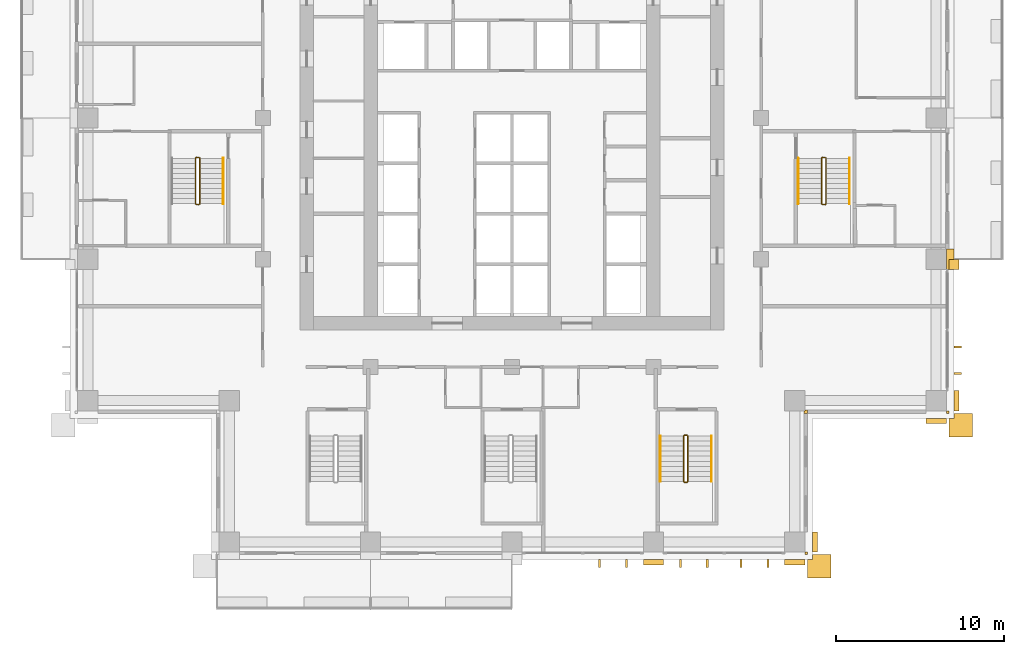
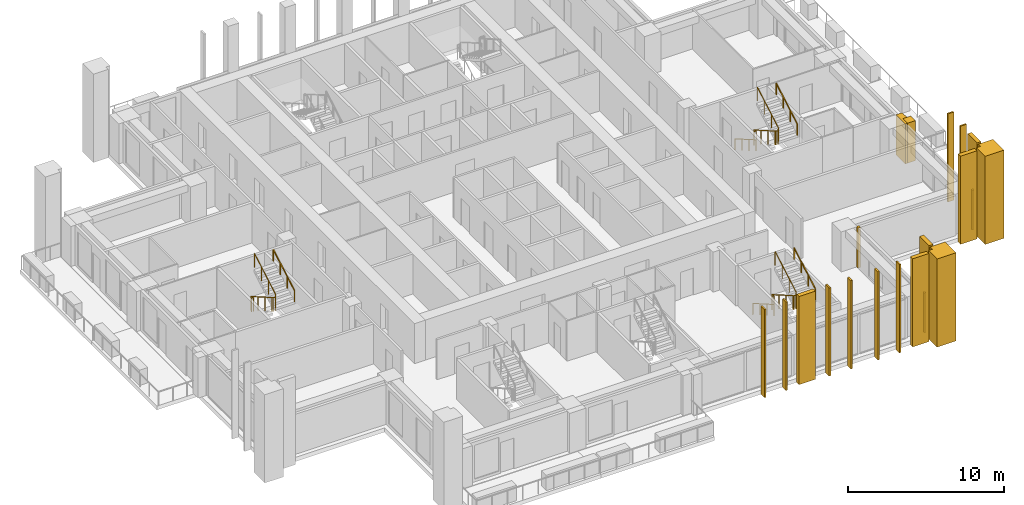
# One storey, part 14 of 17: 20 coverings, 8 railings.
"""IFC4 building model written with IfcOpenShell, lengths in metres."""

from ifc_helpers import new_model, si_unit, direction, frame, origin, origin_2d, place, context, subcontext, project, spatial, polyline, rectangle, outline, extrude, material, layer, layer_set, type_object, element, save


model = new_model("IFC4")

# Units and contexts
model_context = context("Model", 3, precision=1e-05, world=origin(), true_north=direction((0.0, 1.0)))
body_context = subcontext(model_context, "Body", "Model", "MODEL_VIEW")
ifc_project = project(units=[si_unit("LENGTHUNIT", "METRE"), si_unit("AREAUNIT", "SQUARE_METRE"), si_unit("VOLUMEUNIT", "CUBIC_METRE"), si_unit("PLANEANGLEUNIT", "RADIAN"), si_unit("MASSUNIT", "GRAM", prefix="KILO")], contexts=[model_context])

# Site, building, storey
site_placement = place(None, origin())
site = spatial("IfcSite", under=ifc_project, at=site_placement, CompositionType="ELEMENT")
building_placement = place(site_placement, origin())
building = spatial("IfcBuilding", under=site, at=building_placement, Name="Vermilion Ogive Tower", CompositionType="ELEMENT")
storey_placement = place(building_placement, frame((0.0, 0.0, 97.64990234375)))
storey = spatial("IfcBuildingStorey", under=building, at=storey_placement, Name="L24", CompositionType="ELEMENT", Elevation=97.64990234375)

# Coverings
ifc_material_1 = material(Name="Glazed ceramic screen")
ifc_layer = layer(ifc_material_1, 0.14990234375)
ifc_layer_set = layer_set([ifc_layer], Name="Ceramic solar screen fin")
covering_type_1 = type_object("IfcCoveringType", Name="Ceramic solar screen fin", PredefinedType="CLADDING", material=ifc_layer_set)
covering_1_placement = place(storey_placement, frame((0.0, 0.0, -0.31982421875)))
element("IfcCovering", 1, at=covering_1_placement, inside=storey, type_object=covering_type_1, Name="Solar screen blade S011", PredefinedType="CLADDING", context=body_context, shape_type="SweptSolid", body=[
    extrude(outline(polyline([(5.139892578125, -22.5), (5.260009765625, -22.5), (5.260009765625, -22.050048828125), (5.139892578125, -22.050048828125), (5.139892578125, -22.5)])), origin(), (0.0, 0.0, 1.0), 6.89990234375),
])
covering_2_placement = place(storey_placement, frame((0.0, 0.0, -0.31982421875)))
element("IfcCovering", 2, at=covering_2_placement, inside=storey, type_object=covering_type_1, Name="Solar screen blade S012", PredefinedType="CLADDING", context=body_context, shape_type="SweptSolid", body=[
    extrude(outline(polyline([(6.739990234375, -22.5), (6.860107421875, -22.5), (6.860107421875, -22.050048828125), (6.739990234375, -22.050048828125), (6.739990234375, -22.5)])), origin(), (0.0, 0.0, 1.0), 6.89990234375),
])
covering_3_placement = place(storey_placement, frame((0.0, 0.0, -0.31982421875)))
element("IfcCovering", 3, at=covering_3_placement, inside=storey, type_object=covering_type_1, Name="Solar screen blade S021", PredefinedType="CLADDING", context=body_context, shape_type="SweptSolid", body=[
    extrude(outline(polyline([(9.93994140625, -22.5), (10.06005859375, -22.5), (10.06005859375, -22.050048828125), (9.93994140625, -22.050048828125), (9.93994140625, -22.5)])), origin(), (0.0, 0.0, 1.0), 6.89990234375),
])
covering_4_placement = place(storey_placement, frame((0.0, 0.0, -0.31982421875)))
element("IfcCovering", 4, at=covering_4_placement, inside=storey, type_object=covering_type_1, Name="Solar screen blade S022", PredefinedType="CLADDING", context=body_context, shape_type="SweptSolid", body=[
    extrude(outline(polyline([(11.5400390625, -22.5), (11.659912109375, -22.5), (11.659912109375, -22.050048828125), (11.5400390625, -22.050048828125), (11.5400390625, -22.5)])), origin(), (0.0, 0.0, 1.0), 6.89990234375),
])
covering_5_placement = place(storey_placement, frame((0.0, 0.0, -0.31982421875)))
element("IfcCovering", 5, at=covering_5_placement, inside=storey, type_object=covering_type_1, Name="Solar screen blade S031", PredefinedType="CLADDING", context=body_context, shape_type="SweptSolid", body=[
    extrude(outline(polyline([(13.5400390625, -22.5), (13.659912109375, -22.5), (13.659912109375, -22.050048828125), (13.5400390625, -22.050048828125), (13.5400390625, -22.5)])), origin(), (0.0, 0.0, 1.0), 6.89990234375),
])
covering_6_placement = place(storey_placement, frame((0.0, 0.0, -0.31982421875)))
element("IfcCovering", 6, at=covering_6_placement, inside=storey, type_object=covering_type_1, Name="Solar screen blade S032", PredefinedType="CLADDING", context=body_context, shape_type="SweptSolid", body=[
    extrude(outline(polyline([(15.139892578125, -22.5), (15.260009765625, -22.5), (15.260009765625, -22.050048828125), (15.139892578125, -22.050048828125), (15.139892578125, -22.5)])), origin(), (0.0, 0.0, 1.0), 6.89990234375),
])
covering_7_placement = place(storey_placement, frame((0.0, 0.0, -0.31982421875)))
element("IfcCovering", 7, at=covering_7_placement, inside=storey, type_object=covering_type_1, Name="Solar screen blade E971", PredefinedType="CLADDING", context=body_context, shape_type="SweptSolid", body=[
    extrude(outline(polyline([(26.699951171875, -11.06005859375), (26.699951171875, -10.93994140625), (26.25, -10.93994140625), (26.25, -11.06005859375), (26.699951171875, -11.06005859375)])), origin(), (0.0, 0.0, 1.0), 6.89990234375),
])
covering_8_placement = place(storey_placement, frame((0.0, 0.0, -0.31982421875)))
element("IfcCovering", 8, at=covering_8_placement, inside=storey, type_object=covering_type_1, Name="Solar screen blade E972", PredefinedType="CLADDING", context=body_context, shape_type="SweptSolid", body=[
    extrude(outline(polyline([(26.699951171875, -9.4599609375), (26.699951171875, -9.340087890625), (26.25, -9.340087890625), (26.25, -9.4599609375), (26.699951171875, -9.4599609375)])), origin(), (0.0, 0.0, 1.0), 6.89990234375),
])

# Railings
ifc_material_2 = material(Name="Steel S355 painted", Category="steel")
railing_type_1 = type_object("IfcRailingType", Name="Stair guard 1100", PredefinedType="GUARDRAIL", material=ifc_material_2)
railing_1_placement = place(storey_placement, frame((10.39990234375, -14.64990234375, 0.0)))
element("IfcRailing", 9, at=railing_1_placement, inside=storey, type_object=railing_type_1, Name="L24 ST5 stair guard 4", PredefinedType="GUARDRAIL", context=body_context, shape_type="SweptSolid", body=[
    extrude(rectangle(XDim=0.048095703125, YDim=0.048095703125, at=origin_2d()), frame((0.0, 0.0, 1.076171875), z_axis=(-1.0, 0.0, 0.0), x_axis=(0.0, -1.0, 0.0)), (0.0, 0.0, 1.0), 0.14990234375),
    extrude(rectangle(XDim=0.048095703125, YDim=0.048095703125, at=origin_2d()), frame((-0.14990234375, 0.0, 1.076171875), z_axis=(-0.268277960024, -0.268277960024, 0.925231793839), x_axis=(0.707106781187, -0.707106781187, 0.0)), (0.0, 0.0, 1.0), 0.1865234375),
    extrude(rectangle(XDim=0.048095703125, YDim=0.048095703125, at=origin_2d()), frame((-0.199951171875, -0.050048828125, 1.24853515625), z_axis=(0.0, -0.866903762492, 0.498475542607), x_axis=(1.0, 0.0, 0.0)), (0.0, 0.0, 1.0), 3.114501953125),
    extrude(rectangle(XDim=0.048095703125, YDim=0.048095703125, at=origin_2d()), frame((-0.199951171875, -2.75, 2.80126953125), z_axis=(0.707106781187, -0.707106781187, 0.0), x_axis=(0.707106781187, 0.707106781187, 0.0)), (0.0, 0.0, 1.0), 0.07080078125),
    extrude(rectangle(XDim=0.048095703125, YDim=0.048095703125, at=origin_2d()), frame((-0.14990234375, -2.800048828125, 2.80126953125), z_axis=(1.0, 0.0, 0.0), x_axis=(0.0, 1.0, 0.0)), (0.0, 0.0, 1.0), 0.14990234375),
    extrude(rectangle(XDim=0.048095703125, YDim=0.048095703125, at=origin_2d()), frame((0.0, -2.800048828125, 2.80126953125), z_axis=(0.268277960024, 0.268277960024, 0.925231793839), x_axis=(-0.707106781187, 0.707106781187, 0.0)), (0.0, 0.0, 1.0), 0.1865234375),
    extrude(rectangle(XDim=0.048095703125, YDim=0.048095703125, at=origin_2d()), frame((0.050048828125, -2.75, 2.9736328125), z_axis=(0.0, 0.866903762492, 0.498475542607), x_axis=(-1.0, 0.0, 0.0)), (0.0, 0.0, 1.0), 3.114501953125),
    extrude(rectangle(XDim=0.0419921875, YDim=0.0419921875, at=origin_2d()), origin(), (0.0, 0.0, 1.0), 1.052001953125),
    extrude(rectangle(XDim=0.0419921875, YDim=0.0419921875, at=origin_2d()), frame((-0.14990234375, 0.0, 0.0)), (0.0, 0.0, 1.0), 1.052001953125),
    extrude(rectangle(XDim=0.0419921875, YDim=0.0419921875, at=origin_2d()), frame((-0.199951171875, -0.050048828125, 0.172607421875)), (0.0, 0.0, 1.0), 1.052001953125),
    extrude(rectangle(XDim=0.0419921875, YDim=0.0419921875, at=origin_2d()), frame((-0.199951171875, -0.949951171875, 0.690185546875)), (0.0, 0.0, 1.0), 1.052001953125),
    extrude(rectangle(XDim=0.0419921875, YDim=0.0419921875, at=origin_2d()), frame((-0.199951171875, -1.85009765625, 1.20751953125)), (0.0, 0.0, 1.0), 1.052001953125),
    extrude(rectangle(XDim=0.0419921875, YDim=0.0419921875, at=origin_2d()), frame((-0.199951171875, -2.75, 1.72509765625)), (0.0, 0.0, 1.0), 1.052001953125),
    extrude(rectangle(XDim=0.0419921875, YDim=0.0419921875, at=origin_2d()), frame((-0.14990234375, -2.800048828125, 1.72509765625)), (0.0, 0.0, 1.0), 1.052001953125),
    extrude(rectangle(XDim=0.0419921875, YDim=0.0419921875, at=origin_2d()), frame((0.0, -2.800048828125, 1.72509765625)), (0.0, 0.0, 1.0), 1.052001953125),
    extrude(rectangle(XDim=0.0419921875, YDim=0.0419921875, at=origin_2d()), frame((0.050048828125, -2.75, 1.897705078125)), (0.0, 0.0, 1.0), 1.052001953125),
    extrude(rectangle(XDim=0.0419921875, YDim=0.0419921875, at=origin_2d()), frame((0.050048828125, -1.85009765625, 2.415283203125)), (0.0, 0.0, 1.0), 1.052001953125),
    extrude(rectangle(XDim=0.0419921875, YDim=0.0419921875, at=origin_2d()), frame((0.050048828125, -0.949951171875, 2.9326171875)), (0.0, 0.0, 1.0), 1.052001953125),
    extrude(rectangle(XDim=0.0419921875, YDim=0.0419921875, at=origin_2d()), frame((0.050048828125, -0.050048828125, 3.4501953125)), (0.0, 0.0, 1.0), 1.052001953125),
])
railing_2_placement = place(storey_placement, frame((18.60009765625, 1.85009765625, 0.0)))
element("IfcRailing", 10, at=railing_2_placement, inside=storey, type_object=railing_type_1, Name="L24 ST8 stair guard 4", PredefinedType="GUARDRAIL", context=body_context, shape_type="SweptSolid", body=[
    extrude(rectangle(XDim=0.048095703125, YDim=0.048095703125, at=origin_2d()), frame((0.0, 0.0, 1.076171875), z_axis=(-1.0, 0.0, 0.0), x_axis=(0.0, -1.0, 0.0)), (0.0, 0.0, 1.0), 0.150146484375),
    extrude(rectangle(XDim=0.048095703125, YDim=0.048095703125, at=origin_2d()), frame((-0.150146484375, 0.0, 1.076171875), z_axis=(-0.268277960024, -0.268277960024, 0.925231793839), x_axis=(0.707106781187, -0.707106781187, 0.0)), (0.0, 0.0, 1.0), 0.1865234375),
    extrude(rectangle(XDim=0.048095703125, YDim=0.048095703125, at=origin_2d()), frame((-0.2001953125, -0.050048828125, 1.24853515625), z_axis=(0.0, -0.866903762492, 0.498475542607), x_axis=(1.0, 0.0, 0.0)), (0.0, 0.0, 1.0), 3.114501953125),
    extrude(rectangle(XDim=0.048095703125, YDim=0.048095703125, at=origin_2d()), frame((-0.2001953125, -2.75, 2.80126953125), z_axis=(0.707106781187, -0.707106781187, 0.0), x_axis=(0.707106781187, 0.707106781187, 0.0)), (0.0, 0.0, 1.0), 0.07080078125),
    extrude(rectangle(XDim=0.048095703125, YDim=0.048095703125, at=origin_2d()), frame((-0.150146484375, -2.800048828125, 2.80126953125), z_axis=(1.0, 0.0, 0.0), x_axis=(0.0, 1.0, 0.0)), (0.0, 0.0, 1.0), 0.150146484375),
    extrude(rectangle(XDim=0.048095703125, YDim=0.048095703125, at=origin_2d()), frame((0.0, -2.800048828125, 2.80126953125), z_axis=(0.267062837333, 0.268371968888, 0.925556009775), x_axis=(-0.708833529934, 0.705375805398, 0.0)), (0.0, 0.0, 1.0), 0.1865234375),
    extrude(rectangle(XDim=0.048095703125, YDim=0.048095703125, at=origin_2d()), frame((0.0498046875, -2.75, 2.9736328125), z_axis=(0.0, 0.866903762492, 0.498475542607), x_axis=(-1.0, 0.0, 0.0)), (0.0, 0.0, 1.0), 3.114501953125),
    extrude(rectangle(XDim=0.0419921875, YDim=0.0419921875, at=origin_2d()), origin(), (0.0, 0.0, 1.0), 1.052001953125),
    extrude(rectangle(XDim=0.0419921875, YDim=0.0419921875, at=origin_2d()), frame((-0.150146484375, 0.0, 0.0)), (0.0, 0.0, 1.0), 1.052001953125),
    extrude(rectangle(XDim=0.0419921875, YDim=0.0419921875, at=origin_2d()), frame((-0.2001953125, -0.050048828125, 0.172607421875)), (0.0, 0.0, 1.0), 1.052001953125),
    extrude(rectangle(XDim=0.0419921875, YDim=0.0419921875, at=origin_2d()), frame((-0.2001953125, -0.949951171875, 0.690185546875)), (0.0, 0.0, 1.0), 1.052001953125),
    extrude(rectangle(XDim=0.0419921875, YDim=0.0419921875, at=origin_2d()), frame((-0.2001953125, -1.85009765625, 1.20751953125)), (0.0, 0.0, 1.0), 1.052001953125),
    extrude(rectangle(XDim=0.0419921875, YDim=0.0419921875, at=origin_2d()), frame((-0.2001953125, -2.75, 1.72509765625)), (0.0, 0.0, 1.0), 1.052001953125),
    extrude(rectangle(XDim=0.0419921875, YDim=0.0419921875, at=origin_2d()), frame((-0.150146484375, -2.800048828125, 1.72509765625)), (0.0, 0.0, 1.0), 1.052001953125),
    extrude(rectangle(XDim=0.0419921875, YDim=0.0419921875, at=origin_2d()), frame((0.0, -2.800048828125, 1.72509765625)), (0.0, 0.0, 1.0), 1.052001953125),
    extrude(rectangle(XDim=0.0419921875, YDim=0.0419921875, at=origin_2d()), frame((0.0498046875, -2.75, 1.897705078125)), (0.0, 0.0, 1.0), 1.052001953125),
    extrude(rectangle(XDim=0.0419921875, YDim=0.0419921875, at=origin_2d()), frame((0.0498046875, -1.85009765625, 2.415283203125)), (0.0, 0.0, 1.0), 1.052001953125),
    extrude(rectangle(XDim=0.0419921875, YDim=0.0419921875, at=origin_2d()), frame((0.0498046875, -0.949951171875, 2.9326171875)), (0.0, 0.0, 1.0), 1.052001953125),
    extrude(rectangle(XDim=0.0419921875, YDim=0.0419921875, at=origin_2d()), frame((0.0498046875, -0.050048828125, 3.4501953125)), (0.0, 0.0, 1.0), 1.052001953125),
])
railing_3_placement = place(storey_placement, frame((-18.60009765625, 1.85009765625, 0.0)))
element("IfcRailing", 11, at=railing_3_placement, inside=storey, type_object=railing_type_1, Name="L24 ST9 stair guard 4", PredefinedType="GUARDRAIL", context=body_context, shape_type="SweptSolid", body=[
    extrude(rectangle(XDim=0.048095703125, YDim=0.048095703125, at=origin_2d()), frame((0.0, 0.0, 1.076171875), z_axis=(-1.0, 0.0, 0.0), x_axis=(0.0, -1.0, 0.0)), (0.0, 0.0, 1.0), 0.14990234375),
    extrude(rectangle(XDim=0.048095703125, YDim=0.048095703125, at=origin_2d()), frame((-0.14990234375, 0.0, 1.076171875), z_axis=(-0.268277960024, -0.268277960024, 0.925231793839), x_axis=(0.707106781187, -0.707106781187, 0.0)), (0.0, 0.0, 1.0), 0.1865234375),
    extrude(rectangle(XDim=0.048095703125, YDim=0.048095703125, at=origin_2d()), frame((-0.199951171875, -0.050048828125, 1.24853515625), z_axis=(0.0, -0.866903762492, 0.498475542607), x_axis=(1.0, 0.0, 0.0)), (0.0, 0.0, 1.0), 3.114501953125),
    extrude(rectangle(XDim=0.048095703125, YDim=0.048095703125, at=origin_2d()), frame((-0.199951171875, -2.75, 2.80126953125), z_axis=(0.707106781187, -0.707106781187, 0.0), x_axis=(0.707106781187, 0.707106781187, 0.0)), (0.0, 0.0, 1.0), 0.07080078125),
    extrude(rectangle(XDim=0.048095703125, YDim=0.048095703125, at=origin_2d()), frame((-0.14990234375, -2.800048828125, 2.80126953125), z_axis=(1.0, 0.0, 0.0), x_axis=(0.0, 1.0, 0.0)), (0.0, 0.0, 1.0), 0.14990234375),
    extrude(rectangle(XDim=0.048095703125, YDim=0.048095703125, at=origin_2d()), frame((0.0, -2.800048828125, 2.80126953125), z_axis=(0.268277960024, 0.268277960024, 0.925231793839), x_axis=(-0.707106781187, 0.707106781187, 0.0)), (0.0, 0.0, 1.0), 0.1865234375),
    extrude(rectangle(XDim=0.048095703125, YDim=0.048095703125, at=origin_2d()), frame((0.050048828125, -2.75, 2.9736328125), z_axis=(0.0, 0.866903762492, 0.498475542607), x_axis=(-1.0, 0.0, 0.0)), (0.0, 0.0, 1.0), 3.114501953125),
    extrude(rectangle(XDim=0.0419921875, YDim=0.0419921875, at=origin_2d()), origin(), (0.0, 0.0, 1.0), 1.052001953125),
    extrude(rectangle(XDim=0.0419921875, YDim=0.0419921875, at=origin_2d()), frame((-0.14990234375, 0.0, 0.0)), (0.0, 0.0, 1.0), 1.052001953125),
    extrude(rectangle(XDim=0.0419921875, YDim=0.0419921875, at=origin_2d()), frame((-0.199951171875, -0.050048828125, 0.172607421875)), (0.0, 0.0, 1.0), 1.052001953125),
    extrude(rectangle(XDim=0.0419921875, YDim=0.0419921875, at=origin_2d()), frame((-0.199951171875, -0.949951171875, 0.690185546875)), (0.0, 0.0, 1.0), 1.052001953125),
    extrude(rectangle(XDim=0.0419921875, YDim=0.0419921875, at=origin_2d()), frame((-0.199951171875, -1.85009765625, 1.20751953125)), (0.0, 0.0, 1.0), 1.052001953125),
    extrude(rectangle(XDim=0.0419921875, YDim=0.0419921875, at=origin_2d()), frame((-0.199951171875, -2.75, 1.72509765625)), (0.0, 0.0, 1.0), 1.052001953125),
    extrude(rectangle(XDim=0.0419921875, YDim=0.0419921875, at=origin_2d()), frame((-0.14990234375, -2.800048828125, 1.72509765625)), (0.0, 0.0, 1.0), 1.052001953125),
    extrude(rectangle(XDim=0.0419921875, YDim=0.0419921875, at=origin_2d()), frame((0.0, -2.800048828125, 1.72509765625)), (0.0, 0.0, 1.0), 1.052001953125),
    extrude(rectangle(XDim=0.0419921875, YDim=0.0419921875, at=origin_2d()), frame((0.050048828125, -2.75, 1.897705078125)), (0.0, 0.0, 1.0), 1.052001953125),
    extrude(rectangle(XDim=0.0419921875, YDim=0.0419921875, at=origin_2d()), frame((0.050048828125, -1.85009765625, 2.415283203125)), (0.0, 0.0, 1.0), 1.052001953125),
    extrude(rectangle(XDim=0.0419921875, YDim=0.0419921875, at=origin_2d()), frame((0.050048828125, -0.949951171875, 2.9326171875)), (0.0, 0.0, 1.0), 1.052001953125),
    extrude(rectangle(XDim=0.0419921875, YDim=0.0419921875, at=origin_2d()), frame((0.050048828125, -0.050048828125, 3.4501953125)), (0.0, 0.0, 1.0), 1.052001953125),
])
ifc_material_3 = material(Name="Stainless steel", Category="steel")
railing_type_2 = type_object("IfcRailingType", Name="Stair handrail 900", PredefinedType="HANDRAIL", material=ifc_material_3)
railing_4_placement = place(storey_placement, frame((8.800048828125, -14.699951171875, 0.172607421875)))
element("IfcRailing", 12, at=railing_4_placement, inside=storey, type_object=railing_type_2, Name="L24 ST5 stair handrail 1", PredefinedType="HANDRAIL", context=body_context, shape_type="SweptSolid", body=[
    extrude(rectangle(XDim=0.048095703125, YDim=0.048095703125, at=origin_2d()), frame((0.0, 0.0, 0.8759765625), z_axis=(0.0, -0.866903762492, 0.498475542607), x_axis=(1.0, 0.0, 0.0)), (0.0, 0.0, 1.0), 3.114501953125),
    extrude(rectangle(XDim=0.0419921875, YDim=0.0419921875, at=origin_2d()), origin(), (0.0, 0.0, 1.0), 0.851806640625),
    extrude(rectangle(XDim=0.0419921875, YDim=0.0419921875, at=origin_2d()), frame((0.0, -0.89990234375, 0.517578125)), (0.0, 0.0, 1.0), 0.851806640625),
    extrude(rectangle(XDim=0.0419921875, YDim=0.0419921875, at=origin_2d()), frame((0.0, -1.800048828125, 1.034912109375)), (0.0, 0.0, 1.0), 0.851806640625),
    extrude(rectangle(XDim=0.0419921875, YDim=0.0419921875, at=origin_2d()), frame((0.0, -2.699951171875, 1.552490234375)), (0.0, 0.0, 1.0), 0.851806640625),
])
railing_5_placement = place(storey_placement, frame((11.85009765625, -17.39990234375, 1.897705078125)))
element("IfcRailing", 13, at=railing_5_placement, inside=storey, type_object=railing_type_2, Name="L24 ST5 stair handrail 2", PredefinedType="HANDRAIL", context=body_context, shape_type="SweptSolid", body=[
    extrude(rectangle(XDim=0.048095703125, YDim=0.048095703125, at=origin_2d()), frame((0.0, 0.0, 0.8759765625), z_axis=(0.0, 0.866903762492, 0.498475542607), x_axis=(-1.0, 0.0, 0.0)), (0.0, 0.0, 1.0), 3.114501953125),
    extrude(rectangle(XDim=0.0419921875, YDim=0.0419921875, at=origin_2d()), origin(), (0.0, 0.0, 1.0), 0.851806640625),
    extrude(rectangle(XDim=0.0419921875, YDim=0.0419921875, at=origin_2d()), frame((0.0, 0.89990234375, 0.517578125)), (0.0, 0.0, 1.0), 0.851806640625),
    extrude(rectangle(XDim=0.0419921875, YDim=0.0419921875, at=origin_2d()), frame((0.0, 1.800048828125, 1.034912109375)), (0.0, 0.0, 1.0), 0.851806640625),
    extrude(rectangle(XDim=0.0419921875, YDim=0.0419921875, at=origin_2d()), frame((0.0, 2.699951171875, 1.552490234375)), (0.0, 0.0, 1.0), 0.851806640625),
])
railing_6_placement = place(storey_placement, frame((17.0, 1.800048828125, 0.172607421875)))
element("IfcRailing", 14, at=railing_6_placement, inside=storey, type_object=railing_type_2, Name="L24 ST8 stair handrail 1", PredefinedType="HANDRAIL", context=body_context, shape_type="SweptSolid", body=[
    extrude(rectangle(XDim=0.048095703125, YDim=0.048095703125, at=origin_2d()), frame((0.0, 0.0, 0.8759765625), z_axis=(0.0, -0.866903762492, 0.498475542607), x_axis=(1.0, 0.0, 0.0)), (0.0, 0.0, 1.0), 3.114501953125),
    extrude(rectangle(XDim=0.0419921875, YDim=0.0419921875, at=origin_2d()), origin(), (0.0, 0.0, 1.0), 0.851806640625),
    extrude(rectangle(XDim=0.0419921875, YDim=0.0419921875, at=origin_2d()), frame((0.0, -0.89990234375, 0.517578125)), (0.0, 0.0, 1.0), 0.851806640625),
    extrude(rectangle(XDim=0.0419921875, YDim=0.0419921875, at=origin_2d()), frame((0.0, -1.800048828125, 1.034912109375)), (0.0, 0.0, 1.0), 0.851806640625),
    extrude(rectangle(XDim=0.0419921875, YDim=0.0419921875, at=origin_2d()), frame((0.0, -2.699951171875, 1.552490234375)), (0.0, 0.0, 1.0), 0.851806640625),
])
for number, where, name in (
    (15, (20.050048828125, -0.89990234375, 1.897705078125), "L24 ST8 stair handrail 2"),
    (16, (-17.14990234375, -0.89990234375, 1.897705078125), "L24 ST9 stair handrail 2"),
):
    element("IfcRailing", number, at=place(storey_placement, frame(where)), inside=storey, type_object=railing_type_2, Name=name, PredefinedType="HANDRAIL", context=body_context, shape_type="SweptSolid", body=[
        extrude(rectangle(XDim=0.048095703125, YDim=0.048095703125, at=origin_2d()), frame((0.0, 0.0, 0.8759765625), z_axis=(0.0, 0.866903762492, 0.498475542607), x_axis=(-1.0, 0.0, 0.0)), (0.0, 0.0, 1.0), 3.114501953125),
        extrude(rectangle(XDim=0.0419921875, YDim=0.0419921875, at=origin_2d()), origin(), (0.0, 0.0, 1.0), 0.851806640625),
        extrude(rectangle(XDim=0.0419921875, YDim=0.0419921875, at=origin_2d()), frame((0.0, 0.89990234375, 0.517578125)), (0.0, 0.0, 1.0), 0.851806640625),
        extrude(rectangle(XDim=0.0419921875, YDim=0.0419921875, at=origin_2d()), frame((0.0, 1.800048828125, 1.034912109375)), (0.0, 0.0, 1.0), 0.851806640625),
        extrude(rectangle(XDim=0.0419921875, YDim=0.0419921875, at=origin_2d()), frame((0.0, 2.699951171875, 1.552490234375)), (0.0, 0.0, 1.0), 0.851806640625),
    ])

# Coverings
ifc_material_4 = material(Name="Stone cladding", Category="masonry")
covering_type_2 = type_object("IfcCoveringType", Name="Stone corner buttress", PredefinedType="CLADDING", material=ifc_material_4)
covering_9_placement = place(storey_placement, origin())
element("IfcCovering", 17, at=covering_9_placement, inside=storey, type_object=covering_type_2, Name="Stone crease pier EK", PredefinedType="CLADDING", context=body_context, shape_type="SweptSolid", body=[
    extrude(outline(polyline([(26.550048828125, -4.800048828125), (26.550048828125, -4.199951171875), (25.949951171875, -4.199951171875), (25.949951171875, -4.800048828125), (26.550048828125, -4.800048828125)])), origin(), (0.0, 0.0, 1.0), 3.130126953125),
])
covering_10_placement = place(storey_placement, frame((0.0, 0.0, -0.31982421875)))
element("IfcCovering", 18, at=covering_10_placement, inside=storey, type_object=covering_type_2, Name="Stone corner buttress X11", PredefinedType="CLADDING", context=body_context, shape_type="SweptSolid", body=[
    extrude(outline(polyline([(17.550048828125, -22.050048828125), (17.85009765625, -22.050048828125), (17.85009765625, -21.75), (18.949951171875, -21.75), (18.949951171875, -23.14990234375), (17.550048828125, -23.14990234375), (17.550048828125, -22.050048828125)])), origin(), (0.0, 0.0, 1.0), 6.89990234375),
])
covering_11_placement = place(storey_placement, frame((0.0, 0.0, -0.31982421875)))
element("IfcCovering", 19, at=covering_11_placement, inside=storey, type_object=covering_type_2, Name="Stone corner buttress E1", PredefinedType="CLADDING", context=body_context, shape_type="SweptSolid", body=[
    extrude(outline(polyline([(25.949951171875, -13.64990234375), (26.25, -13.64990234375), (26.25, -13.35009765625), (27.35009765625, -13.35009765625), (27.35009765625, -14.75), (25.949951171875, -14.75), (25.949951171875, -13.64990234375)])), origin(), (0.0, 0.0, 1.0), 6.89990234375),
])
ifc_material_5 = material(Name="Stone cladding", Category="masonry")
covering_type_3 = type_object("IfcCoveringType", Name="Stone pier", PredefinedType="CLADDING", material=ifc_material_5)
covering_12_placement = place(storey_placement, origin())
element("IfcCovering", 20, at=covering_12_placement, inside=storey, type_object=covering_type_3, Name="Stone corner pier SE1", PredefinedType="CLADDING", context=body_context, shape_type="SweptSolid", body=[
    extrude(outline(polyline([(17.39990234375, -21.75), (17.39990234375, -21.60009765625), (17.39990234375, -21.60009765625), (17.550048828125, -21.60009765625), (17.550048828125, -21.75), (17.39990234375, -21.75)])), origin(), (0.0, 0.0, 1.0), 3.130126953125),
])
covering_13_placement = place(storey_placement, origin())
element("IfcCovering", 21, at=covering_13_placement, inside=storey, type_object=covering_type_3, Name="Stone corner pier X1E1", PredefinedType="CLADDING", context=body_context, shape_type="SweptSolid", body=[
    extrude(outline(polyline([(17.35009765625, -13.199951171875), (17.39990234375, -13.199951171875), (17.39990234375, -13.14990234375), (17.550048828125, -13.14990234375), (17.550048828125, -13.35009765625), (17.35009765625, -13.35009765625), (17.35009765625, -13.199951171875)])), origin(), (0.0, 0.0, 1.0), 3.130126953125),
])
covering_14_placement = place(storey_placement, origin())
element("IfcCovering", 22, at=covering_14_placement, inside=storey, type_object=covering_type_3, Name="Stone corner pier X2E1", PredefinedType="CLADDING", context=body_context, shape_type="SweptSolid", body=[
    extrude(outline(polyline([(25.800048828125, -13.35009765625), (25.800048828125, -13.199951171875), (25.949951171875, -13.199951171875), (25.949951171875, -13.35009765625), (25.800048828125, -13.35009765625)])), origin(), (0.0, 0.0, 1.0), 3.130126953125),
])
covering_15_placement = place(storey_placement, frame((0.0, 0.0, -0.31982421875)))
element("IfcCovering", 23, at=covering_15_placement, inside=storey, type_object=covering_type_3, Name="Stone pier P+0084-210", PredefinedType="CLADDING", context=body_context, shape_type="SweptSolid", body=[
    extrude(outline(polyline([(9.0, -22.35009765625), (7.800048828125, -22.35009765625), (7.800048828125, -22.050048828125), (9.0, -22.050048828125), (9.0, -22.35009765625)])), origin(), (0.0, 0.0, 1.0), 6.89990234375),
])
covering_16_placement = place(storey_placement, frame((0.0, 0.0, -0.31982421875)))
element("IfcCovering", 24, at=covering_16_placement, inside=storey, type_object=covering_type_3, Name="Stone pier P+0168-210S", PredefinedType="CLADDING", context=body_context, shape_type="SweptSolid", body=[
    extrude(outline(polyline([(17.39990234375, -22.35009765625), (16.199951171875, -22.35009765625), (16.199951171875, -22.050048828125), (17.39990234375, -22.050048828125), (17.39990234375, -22.35009765625)])), origin(), (0.0, 0.0, 1.0), 6.89990234375),
])
covering_17_placement = place(storey_placement, frame((0.0, 0.0, -0.31982421875)))
element("IfcCovering", 25, at=covering_17_placement, inside=storey, type_object=covering_type_3, Name="Stone pier P+0168-210X1", PredefinedType="CLADDING", context=body_context, shape_type="SweptSolid", body=[
    extrude(outline(polyline([(18.14990234375, -21.60009765625), (17.85009765625, -21.60009765625), (17.85009765625, -20.39990234375), (18.14990234375, -20.39990234375), (18.14990234375, -21.60009765625)])), origin(), (0.0, 0.0, 1.0), 6.89990234375),
])
covering_18_placement = place(storey_placement, frame((0.0, 0.0, -0.31982421875)))
element("IfcCovering", 26, at=covering_18_placement, inside=storey, type_object=covering_type_3, Name="Stone pier P+0252-126X2", PredefinedType="CLADDING", context=body_context, shape_type="SweptSolid", body=[
    extrude(outline(polyline([(25.800048828125, -13.949951171875), (24.60009765625, -13.949951171875), (24.60009765625, -13.64990234375), (25.800048828125, -13.64990234375), (25.800048828125, -13.949951171875)])), origin(), (0.0, 0.0, 1.0), 6.89990234375),
])
covering_19_placement = place(storey_placement, frame((0.0, 0.0, -0.31982421875)))
element("IfcCovering", 27, at=covering_19_placement, inside=storey, type_object=covering_type_3, Name="Stone pier P+0252-126E", PredefinedType="CLADDING", context=body_context, shape_type="SweptSolid", body=[
    extrude(outline(polyline([(26.550048828125, -13.199951171875), (26.25, -13.199951171875), (26.25, -12.0), (26.550048828125, -12.0), (26.550048828125, -13.199951171875)])), origin(), (0.0, 0.0, 1.0), 6.89990234375),
])
covering_20_placement = place(storey_placement, origin())
element("IfcCovering", 28, at=covering_20_placement, inside=storey, type_object=covering_type_3, Name="Stone pier P+0252-042", PredefinedType="CLADDING", context=body_context, shape_type="SweptSolid", body=[
    extrude(outline(polyline([(25.800048828125, -3.60009765625), (26.25, -3.60009765625), (26.25, -4.199951171875), (25.949951171875, -4.199951171875), (25.949951171875, -4.800048828125), (26.25, -4.800048828125), (26.25, -4.800048828125), (25.800048828125, -4.800048828125), (25.800048828125, -4.800048828125), (25.800048828125, -3.60009765625)])), origin(), (0.0, 0.0, 1.0), 3.130126953125),
])

save(model, "model.ifc")
